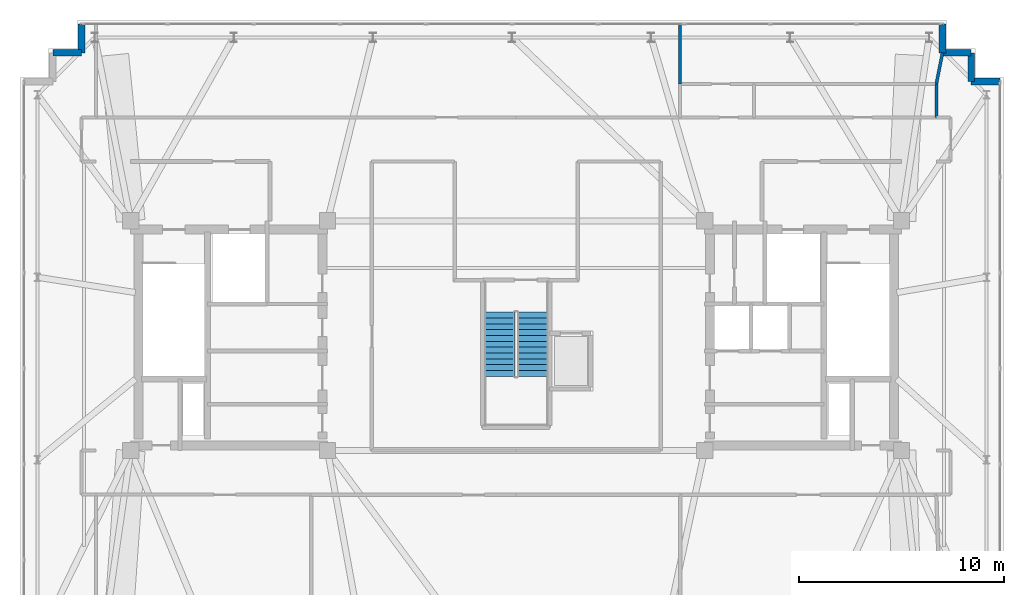
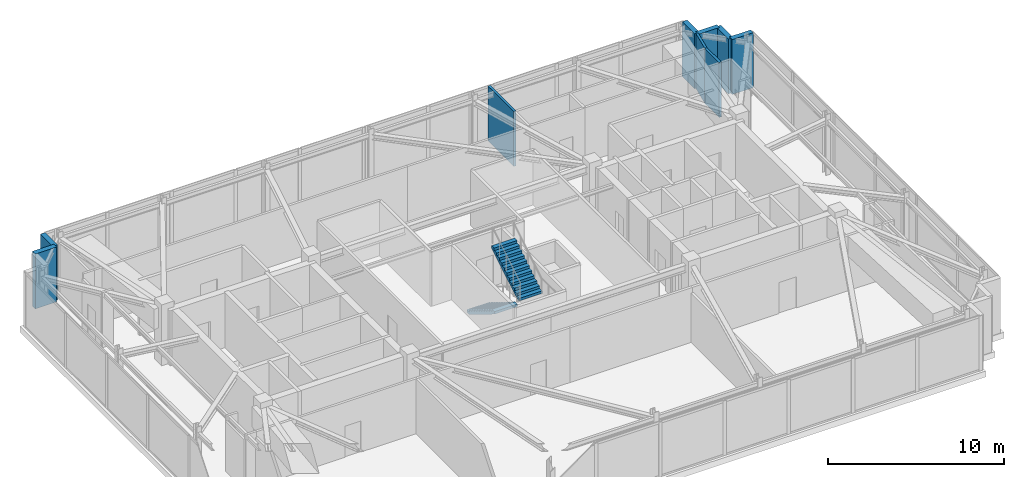
# One storey, part 24 of 27: 9 walls, 2 stair flights, 1 element without a shape of its own.
"""IFC4 building model written with IfcOpenShell, lengths in metres."""

from ifc_helpers import new_model, si_unit, direction, frame, frame_2d, origin, place, context, subcontext, project, spatial, polyline, rectangle, outline, extrude, material, layer, layer_set, type_object, element, aggregate, save


model = new_model("IFC4")

# Units and contexts
model_context = context("Model", 3, precision=1e-05, world=origin(), true_north=direction((0.0, 1.0)))
body_context = subcontext(model_context, "Body", "Model", "MODEL_VIEW")
ifc_project = project(units=[si_unit("LENGTHUNIT", "METRE"), si_unit("AREAUNIT", "SQUARE_METRE"), si_unit("VOLUMEUNIT", "CUBIC_METRE"), si_unit("PLANEANGLEUNIT", "RADIAN"), si_unit("MASSUNIT", "GRAM", prefix="KILO")], contexts=[model_context])

# Site, building, storey
site_placement = place(None, origin())
site = spatial("IfcSite", under=ifc_project, at=site_placement, CompositionType="ELEMENT")
building_placement = place(site_placement, origin())
building = spatial("IfcBuilding", under=site, at=building_placement, Name="Qobustan Lattice House", CompositionType="ELEMENT")
storey_placement = place(building_placement, frame((0.0, 0.0, 266.0)))
storey = spatial("IfcBuildingStorey", under=building, at=storey_placement, Name="L75", CompositionType="ELEMENT", Elevation=266.0)

# Walls
ifc_material_1 = material(Name="Precast concrete C40/50", Category="concrete")
ifc_layer_1 = layer(ifc_material_1, 0.320068359375)
ifc_layer_set_1 = layer_set([ifc_layer_1], Name="Precast concrete C40/50")
wall_type_1 = type_object("IfcWallType", Name="WAL-EXT-STONE-320", PredefinedType="SOLIDWALL", material=ifc_layer_set_1)
wall_1_placement = place(storey_placement, frame((-22.60009765625, 13.800048828125, 0.0), z_axis=(0.0, 0.0, 1.0), x_axis=(1.0, 0.0, 0.0)))
element("IfcWall", 1, at=wall_1_placement, inside=storey, type_object=wall_type_1, Name="L75 exterior limestone-clad wall 8", PredefinedType="SOLIDWALL", context=body_context, shape_type="SweptSolid", body=[
    extrude(rectangle(XDim=1.400146484375, YDim=0.320068359375, at=frame_2d((0.7001953125, 0.0))), origin(), (0.0, 0.0, 1.0), 3.800048828125),
])
for number, where, z_axis, x_axis, name in (
    (2, (-21.199951171875, 13.800048828125, 0.0), (0.0, 0.0, 1.0), (0.0, 1.0, 0.0), "L75 exterior limestone-clad wall 9"),
    (3, (20.800048828125, 15.199951171875, 0.0), (0.0, 0.0, 1.0), (0.0, -1.0, 0.0), "L75 exterior limestone-clad wall 11"),
    (4, (20.800048828125, 13.800048828125, 0.0), (0.0, 0.0, 1.0), (1.0, 0.0, 0.0), "L75 exterior limestone-clad wall 12"),
):
    element("IfcWall", number, at=place(storey_placement, frame(where, z_axis=z_axis, x_axis=x_axis)), inside=storey, type_object=wall_type_1, Name=name, PredefinedType="SOLIDWALL", context=body_context, shape_type="SweptSolid", body=[
        extrude(rectangle(XDim=1.39990234375, YDim=0.320068359375, at=frame_2d((0.699951171875, 0.0))), origin(), (0.0, 0.0, 1.0), 3.800048828125),
    ])
for number, where, z_axis, x_axis, name in (
    (5, (22.199951171875, 13.800048828125, 0.0), (0.0, 0.0, 1.0), (0.0, -1.0, 0.0), "L75 exterior limestone-clad wall 13"),
    (6, (22.199951171875, 12.39990234375, 0.0), (0.0, 0.0, 1.0), (1.0, 0.0, 0.0), "L75 exterior limestone-clad wall 14"),
):
    element("IfcWall", number, at=place(storey_placement, frame(where, z_axis=z_axis, x_axis=x_axis)), inside=storey, type_object=wall_type_1, Name=name, PredefinedType="SOLIDWALL", context=body_context, shape_type="SweptSolid", body=[
        extrude(rectangle(XDim=1.400146484375, YDim=0.320068359375, at=frame_2d((0.7001953125, 0.0))), origin(), (0.0, 0.0, 1.0), 3.800048828125),
    ])
ifc_material_2 = material(Name="Acoustic twin-stud gypsum partition", Category="gypsum")
ifc_layer_2 = layer(ifc_material_2, 0.14990234375)
ifc_layer_set_2 = layer_set([ifc_layer_2], Name="Acoustic twin-stud gypsum partition")
wall_type_2 = type_object("IfcWallType", Name="WAL-PART-150", PredefinedType="PARTITIONING", material=ifc_layer_set_2)
wall_2_placement = place(storey_placement, frame((20.5, 12.280029296875, 0.0), z_axis=(0.0, 0.0, 1.0), x_axis=(0.193660970649, 0.981068513636, 0.0)))
element("IfcWall", 7, at=wall_2_placement, inside=storey, type_object=wall_type_2, Name="L75 interior partition 62", PredefinedType="PARTITIONING", context=body_context, shape_type="SweptSolid", body=[
    extrude(rectangle(XDim=1.54931640625, YDim=0.14990234375, at=frame_2d((0.774658203125, 0.0))), origin(), (0.0, 0.0, 1.0), 3.800048828125),
])
wall_3_placement = place(storey_placement, frame((8.0, 15.199951171875, 0.0), z_axis=(0.0, 0.0, 1.0), x_axis=(0.0, -1.0, 0.0)))
element("IfcWall", 8, at=wall_3_placement, inside=storey, type_object=wall_type_2, Name="L75 interior partition 64", PredefinedType="PARTITIONING", context=body_context, shape_type="SweptSolid", body=[
    extrude(rectangle(XDim=2.919921875, YDim=0.14990234375, at=frame_2d((1.4599609375, 0.0))), origin(), (0.0, 0.0, 1.0), 3.800048828125),
])
ifc_material_3 = material(Name="Moisture-resistant acoustic plumbing wall", Category="gypsum")
ifc_layer_3 = layer(ifc_material_3, 0.14990234375)
ifc_layer_set_3 = layer_set([ifc_layer_3], Name="Moisture-resistant acoustic plumbing wall")
wall_type_3 = type_object("IfcWallType", Name="WAL-WET-150", PredefinedType="PLUMBINGWALL", material=ifc_layer_set_3)
wall_4_placement = place(storey_placement, frame((20.5, 10.64990234375, 0.0), z_axis=(0.0, 0.0, 1.0), x_axis=(0.0, 1.0, 0.0)))
element("IfcWall", 9, at=wall_4_placement, inside=storey, type_object=wall_type_3, Name="L75 interior partition 61", PredefinedType="PLUMBINGWALL", context=body_context, shape_type="SweptSolid", body=[
    extrude(rectangle(XDim=1.630126953125, YDim=0.14990234375, at=frame_2d((0.81494140625, 0.0))), origin(), (0.0, 0.0, 1.0), 3.800048828125),
])

# Stair, stair flights
ifc_material_4 = material(Name="Concrete C40/50", Category="concrete")
stair_type = type_object("IfcStairType", Name="STR-CORE-DOGLEG", PredefinedType="HALF_TURN_STAIR", material=ifc_material_4)
stair_placement = place(storey_placement, origin())
stair = element("IfcStair", 10, at=stair_placement, inside=storey, type_object=stair_type, Name="L75 Crown access stair ST-C1", PredefinedType="HALF_TURN_STAIR")
ifc_material_5 = material(Name="Concrete C40/50", Category="concrete")
stair_flight_type = type_object("IfcStairFlightType", Name="SFL-RC-1500", PredefinedType="STRAIGHT", material=ifc_material_5)
stair_flight_1_placement = place(storey_placement, frame((-0.81005859375, 1.14990234375, 0.0), z_axis=(0.0, 0.0, 1.0), x_axis=(0.0, -1.0, 0.0)))
stair_flight_1 = element("IfcStairFlight", 11, at=stair_flight_1_placement, type_object=stair_flight_type, Name="ST-C1 flight 1", NumberOfRisers=12, NumberOfTreads=11, PredefinedType="STRAIGHT", RiserHeight=0.175, TreadLength=0.285, context=body_context, shape_type="SweptSolid", body=[
    extrude(outline(polyline([(0.0, 0.0), (0.0, 0.175048828125), (0.284912109375, 0.175048828125), (0.284912109375, 0.35009765625), (0.570068359375, 0.35009765625), (0.570068359375, 0.52490234375), (0.85498046875, 0.52490234375), (0.85498046875, 0.699951171875), (1.139892578125, 0.699951171875), (1.139892578125, 0.875), (1.425048828125, 0.875), (1.425048828125, 1.050048828125), (1.7099609375, 1.050048828125), (1.7099609375, 1.22509765625), (1.9951171875, 1.22509765625), (1.9951171875, 1.39990234375), (2.280029296875, 1.39990234375), (2.280029296875, 1.574951171875), (2.56494140625, 1.574951171875), (2.56494140625, 1.75), (2.85009765625, 1.75), (2.85009765625, 1.925048828125), (3.135009765625, 1.925048828125), (3.135009765625, 2.10009765625), (3.135009765625, 1.7490234375), (0.286376953125, 0.0), (0.0, 0.0)])), frame((0.0, 0.75, 0.0), z_axis=(0.0, -1.0, 0.0), x_axis=(1.0, 0.0, 0.0)), (0.0, 0.0, 1.0), 1.5),
])
stair_flight_2_placement = place(storey_placement, frame((0.81005859375, -1.985107421875, 2.10009765625), z_axis=(0.0, 0.0, 1.0), x_axis=(0.0, 1.0, 0.0)))
stair_flight_2 = element("IfcStairFlight", 12, at=stair_flight_2_placement, type_object=stair_flight_type, Name="ST-C1 flight 2", NumberOfRisers=12, NumberOfTreads=11, PredefinedType="STRAIGHT", RiserHeight=0.175, TreadLength=0.285, context=body_context, shape_type="SweptSolid", body=[
    extrude(outline(polyline([(0.0, 0.0), (0.0, 0.175048828125), (0.284912109375, 0.175048828125), (0.284912109375, 0.35009765625), (0.570068359375, 0.35009765625), (0.570068359375, 0.52490234375), (0.85498046875, 0.52490234375), (0.85498046875, 0.699951171875), (1.139892578125, 0.699951171875), (1.139892578125, 0.875), (1.425048828125, 0.875), (1.425048828125, 1.050048828125), (1.7099609375, 1.050048828125), (1.7099609375, 1.22509765625), (1.9951171875, 1.22509765625), (1.9951171875, 1.39990234375), (2.280029296875, 1.39990234375), (2.280029296875, 1.574951171875), (2.56494140625, 1.574951171875), (2.56494140625, 1.75), (2.85009765625, 1.75), (2.85009765625, 1.925048828125), (3.135009765625, 1.925048828125), (3.135009765625, 2.10009765625), (3.135009765625, 1.7490234375), (0.286376953125, 0.0), (0.0, 0.0)])), frame((0.0, 0.75, 0.0), z_axis=(0.0, -1.0, 0.0), x_axis=(1.0, 0.0, 0.0)), (0.0, 0.0, 1.0), 1.5),
])
aggregate(stair, [stair_flight_1, stair_flight_2])

save(model, "model.ifc")
